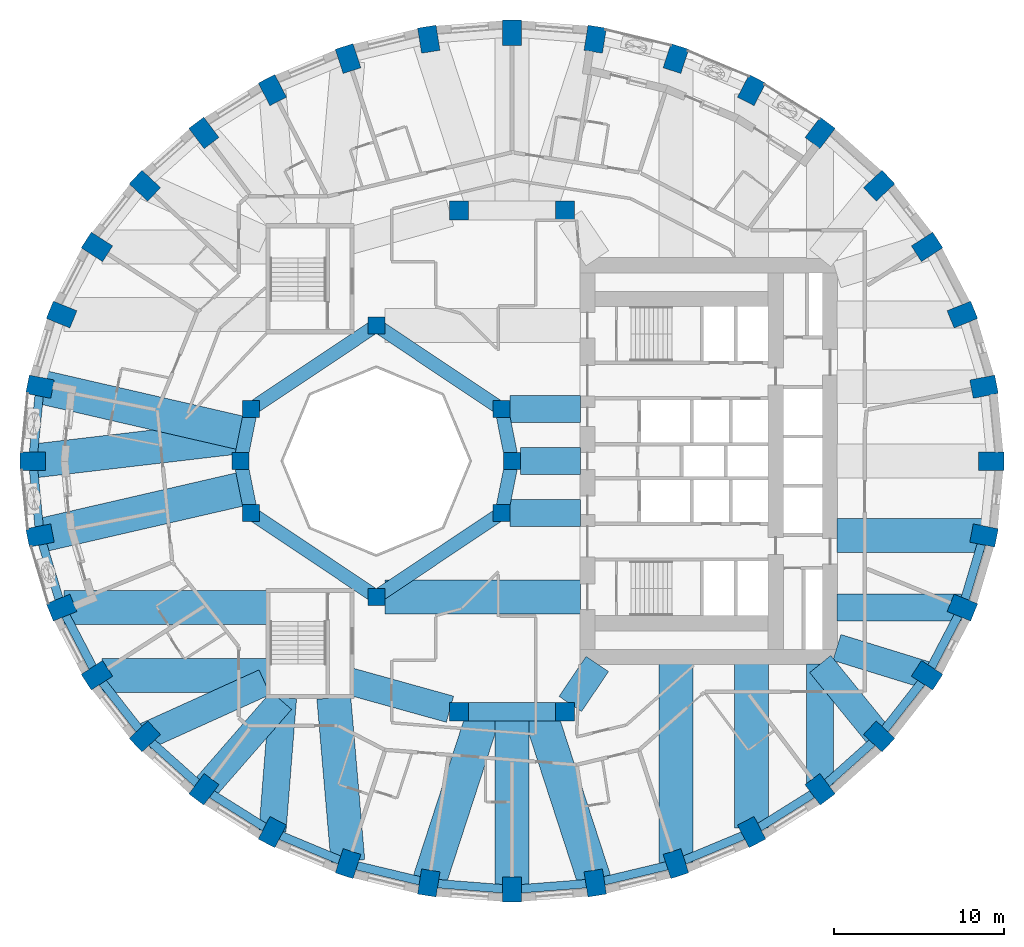
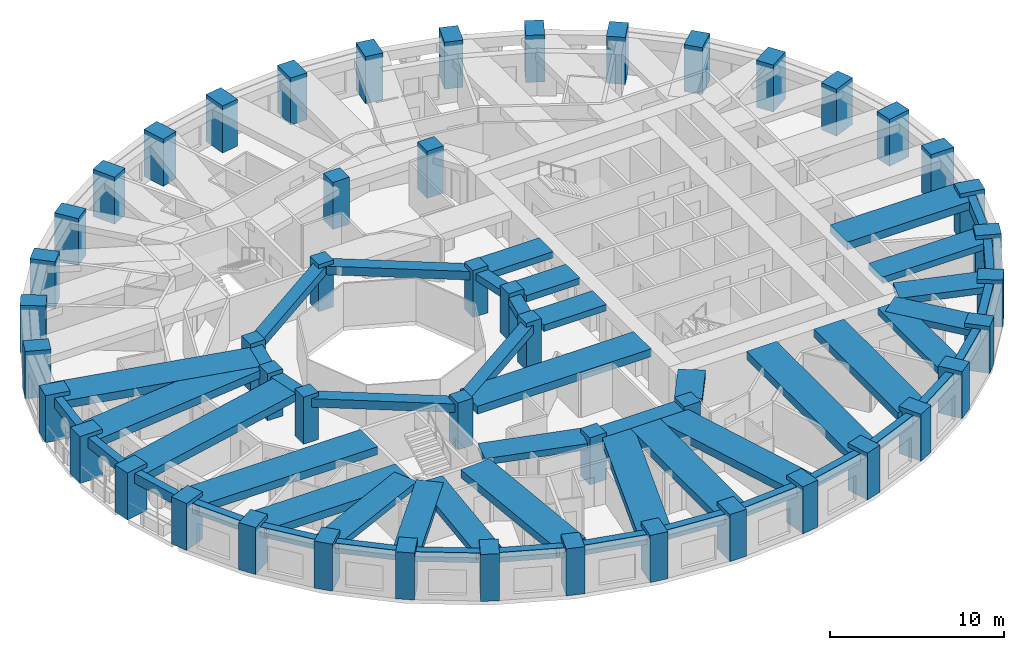
# One storey, part 1 of 13: 52 beams, 48 columns.
"""IFC4 building model written with IfcOpenShell, lengths in metres."""

from ifc_helpers import new_model, si_unit, direction, frame, origin, origin_2d, place, context, subcontext, project, spatial, rectangle, extrude, material, material_profile, profile_set, type_object, element, save


model = new_model("IFC4")

# Units and contexts
model_context = context("Model", 3, precision=1e-05, world=origin(), true_north=direction((0.0, 1.0)))
body_context = subcontext(model_context, "Body", "Model", "MODEL_VIEW")
ifc_project = project(units=[si_unit("LENGTHUNIT", "METRE"), si_unit("AREAUNIT", "SQUARE_METRE"), si_unit("VOLUMEUNIT", "CUBIC_METRE"), si_unit("PLANEANGLEUNIT", "RADIAN"), si_unit("MASSUNIT", "GRAM", prefix="KILO")], contexts=[model_context])

# Site, building, storey
site_placement = place(None, origin())
site = spatial("IfcSite", under=ifc_project, at=site_placement, CompositionType="ELEMENT")
building_placement = place(site_placement, origin())
building = spatial("IfcBuilding", under=site, at=building_placement, Name="Taillehof Tower", CompositionType="ELEMENT")
storey_placement = place(building_placement, frame((0.0, 0.0, 61.300048828125)))
storey = spatial("IfcBuildingStorey", under=building, at=storey_placement, Name="L16", CompositionType="ELEMENT", Elevation=61.300048828125)

# Columns
ifc_material_1 = material(Name="Concrete C50/60", Category="concrete")
ifc_material_profile_1 = material_profile(ifc_material_1, rectangle(XDim=1.0, YDim=1.0, at=origin_2d()), Name="RC 1000x1000")
ifc_profile_set_1 = profile_set([ifc_material_profile_1], Name="Concrete C50/60")
column_type_1 = type_object("IfcColumnType", Name="Atrium ring column C50/60 1000x1000", PredefinedType="COLUMN", material=ifc_profile_set_1)
for number, where, z_axis, x_axis, name in (
    (1, (0.0, 0.0, 0.0), (0.0, 0.0, 1.0), (1.0, 0.0, 0.0), "Column AC01"),
    (2, (-0.60888671875, 3.0615234375, 0.0), (0.0, 0.0, 1.0), (1.0, 0.0, 0.0), "Column AC02"),
    (3, (-8.0, 8.0, 0.0), (0.0, 0.0, 1.0), (1.0, 0.0, 0.0), "Column AC05"),
    (4, (-15.39111328125, 3.0615234375, 0.0), (0.0, 0.0, 1.0), (1.0, 0.0, 0.0), "Column AC08"),
    (5, (-16.0, 0.0, 0.0), (0.0, 0.0, 1.0), (1.0, 0.0, 0.0), "Column AC09"),
    (6, (-15.39111328125, -3.0615234375, 0.0), (0.0, 0.0, 1.0), (1.0, 0.0, 0.0), "Column AC10"),
    (7, (-8.0, -8.0, 0.0), (0.0, 0.0, 1.0), (1.0, 0.0, 0.0), "Column AC13"),
    (8, (-0.60888671875, -3.0615234375, 0.0), (0.0, 0.0, 1.0), (1.0, 0.0, 0.0), "Column AC16"),
):
    element("IfcColumn", number, at=place(storey_placement, frame(where, z_axis=z_axis, x_axis=x_axis)), inside=storey, type_object=column_type_1, Name=name, PredefinedType="COLUMN", context=body_context, shape_type="SweptSolid", body=[
        extrude(rectangle(XDim=1.0, YDim=1.0, at=origin_2d()), origin(), (0.0, 0.0, 1.0), 3.300048828125),
    ])
ifc_material_2 = material(Name="Concrete C50/60", Category="concrete")
ifc_material_profile_2 = material_profile(ifc_material_2, rectangle(XDim=1.10009765625, YDim=1.10009765625, at=origin_2d()), Name="RC 1100x1100")
ifc_profile_set_2 = profile_set([ifc_material_profile_2], Name="Concrete C50/60")
column_type_2 = type_object("IfcColumnType", Name="Mid-ring column C50/60 1100x1100", PredefinedType="COLUMN", material=ifc_profile_set_2)
column_1_placement = place(storey_placement, frame((3.125732421875, -14.772216796875, 0.0), z_axis=(0.0, 0.0, 1.0), x_axis=(1.0, 0.0, 0.0)))
element("IfcColumn", 9, at=column_1_placement, inside=storey, type_object=column_type_2, Name="Column MC15", PredefinedType="COLUMN", context=body_context, shape_type="SweptSolid", body=[
    extrude(rectangle(XDim=1.10009765625, YDim=1.10009765625, at=origin_2d()), origin(), (0.0, 0.0, 1.0), 3.300048828125),
])
ifc_material_3 = material(Name="Concrete C60/75", Category="concrete")
ifc_material_profile_3 = material_profile(ifc_material_3, rectangle(XDim=1.10009765625, YDim=1.10009765625, at=origin_2d()), Name="RC 1100x1100")
ifc_profile_set_3 = profile_set([ifc_material_profile_3], Name="Concrete C60/75")
column_type_3 = type_object("IfcColumnType", Name="Mid-ring column C60/75 1100x1100", PredefinedType="COLUMN", material=ifc_profile_set_3)
column_2_placement = place(storey_placement, frame((3.125732421875, 14.772216796875, 0.0), z_axis=(0.0, 0.0, 1.0), x_axis=(1.0, 0.0, 0.0)))
element("IfcColumn", 10, at=column_2_placement, inside=storey, type_object=column_type_3, Name="Column MC05", PredefinedType="COLUMN", context=body_context, shape_type="SweptSolid", body=[
    extrude(rectangle(XDim=1.10009765625, YDim=1.10009765625, at=origin_2d()), origin(), (0.0, 0.0, 1.0), 3.300048828125),
])
ifc_material_4 = material(Name="Concrete C70/85", Category="concrete")
ifc_material_profile_4 = material_profile(ifc_material_4, rectangle(XDim=1.10009765625, YDim=1.10009765625, at=origin_2d()), Name="RC 1100x1100")
ifc_profile_set_4 = profile_set([ifc_material_profile_4], Name="Concrete C70/85")
column_type_4 = type_object("IfcColumnType", Name="Mid-ring column C70/85 1100x1100", PredefinedType="COLUMN", material=ifc_profile_set_4)
for number, where, z_axis, x_axis, name in (
    (11, (-3.125732421875, 14.772216796875, 0.0), (0.0, 0.0, 1.0), (1.0, 0.0, 0.0), "Column MC06"),
    (12, (-3.125732421875, -14.772216796875, 0.0), (0.0, 0.0, 1.0), (1.0, 0.0, 0.0), "Column MC14"),
):
    element("IfcColumn", number, at=place(storey_placement, frame(where, z_axis=z_axis, x_axis=x_axis)), inside=storey, type_object=column_type_4, Name=name, PredefinedType="COLUMN", context=body_context, shape_type="SweptSolid", body=[
        extrude(rectangle(XDim=1.10009765625, YDim=1.10009765625, at=origin_2d()), origin(), (0.0, 0.0, 1.0), 3.300048828125),
    ])
ifc_material_5 = material(Name="Concrete C70/85", Category="concrete")
ifc_material_profile_5 = material_profile(ifc_material_5, rectangle(XDim=1.5, YDim=1.10009765625, at=origin_2d()), Name="RC 1500x1100")
ifc_profile_set_5 = profile_set([ifc_material_profile_5], Name="Concrete C70/85")
column_type_5 = type_object("IfcColumnType", Name="Ring column C70/85 1500x1100", PredefinedType="COLUMN", material=ifc_profile_set_5)
for number, where, z_axis, x_axis, name in (
    (13, (28.25, 0.0, 0.0), (0.0, 0.0, 1.0), (1.0, 0.0, 0.0), "Ring column RC01"),
    (14, (27.82080078125, 4.384521484375, 0.0), (0.0, 0.0, 1.0), (0.98120354895, 0.192975634545, 0.0), "Ring column RC02"),
    (15, (26.54638671875, 8.635986328125, 0.0), (0.0, 0.0, 1.0), (0.926558045297, 0.37615181602, 0.0), "Ring column RC03"),
    (16, (24.46533203125, 12.625, 0.0), (0.0, 0.0, 1.0), (0.840753565229, 0.541417992456, 0.0), "Ring column RC04"),
    (17, (21.640869140625, 16.23046875, 0.0), (0.0, 0.0, 1.0), (0.730113022917, 0.683326403535, 0.0), "Ring column RC05"),
    (18, (18.15869140625, 19.342529296875, 0.0), (0.0, 0.0, 1.0), (0.601173783055, 0.79911831575, 0.0), "Ring column RC06"),
    (19, (14.125, 21.8671875, 0.0), (0.0, 0.0, 1.0), (0.459691308511, 0.888078769524, 0.0), "Ring column RC07"),
    (20, (9.662109375, 23.727294921875, 0.0), (0.0, 0.0, 1.0), (0.310219183529, 0.950665060981, 0.0), "Ring column RC08"),
    (21, (4.905517578125, 24.866455078125, 0.0), (0.0, 0.0, 1.0), (0.15614709407, 0.987733812833, 0.0), "Ring column RC09"),
    (22, (0.0, 25.25, 0.0), (0.0, 0.0, 1.0), (0.0, 1.0, 0.0), "Ring column RC10"),
    (23, (-4.905517578125, 24.866455078125, 0.0), (0.0, 0.0, 1.0), (-0.15614709407, 0.987733812833, 0.0), "Ring column RC11"),
    (24, (-9.662109375, 23.727294921875, 0.0), (0.0, 0.0, 1.0), (-0.310219183529, 0.950665060981, 0.0), "Ring column RC12"),
    (25, (-14.125, 21.8671875, 0.0), (0.0, 0.0, 1.0), (-0.459691308511, 0.888078769524, 0.0), "Ring column RC13"),
    (26, (-18.15869140625, 19.342529296875, 0.0), (0.0, 0.0, 1.0), (-0.601173783055, 0.79911831575, 0.0), "Ring column RC14"),
    (27, (-21.640869140625, 16.23046875, 0.0), (0.0, 0.0, 1.0), (-0.730113022917, 0.683326403535, 0.0), "Ring column RC15"),
    (28, (-24.46533203125, 12.625, 0.0), (0.0, 0.0, 1.0), (-0.840753565229, 0.541417992456, 0.0), "Ring column RC16"),
    (29, (-26.54638671875, 8.635986328125, 0.0), (0.0, 0.0, 1.0), (-0.926558045297, 0.37615181602, 0.0), "Ring column RC17"),
    (30, (-27.82080078125, 4.384521484375, 0.0), (0.0, 0.0, 1.0), (-0.98120354895, 0.192975634545, 0.0), "Ring column RC18"),
    (31, (-28.25, 0.0, 0.0), (0.0, 0.0, 1.0), (-1.0, 0.0, 0.0), "Ring column RC19"),
    (32, (-27.82080078125, -4.384521484375, 0.0), (0.0, 0.0, 1.0), (-0.98120354895, -0.192975634545, 0.0), "Ring column RC20"),
    (33, (-26.54638671875, -8.635986328125, 0.0), (0.0, 0.0, 1.0), (-0.926558045297, -0.37615181602, 0.0), "Ring column RC21"),
    (34, (-24.46533203125, -12.625, 0.0), (0.0, 0.0, 1.0), (-0.840753565229, -0.541417992456, 0.0), "Ring column RC22"),
    (35, (-21.640869140625, -16.23046875, 0.0), (0.0, 0.0, 1.0), (-0.730113022917, -0.683326403535, 0.0), "Ring column RC23"),
    (36, (-18.15869140625, -19.342529296875, 0.0), (0.0, 0.0, 1.0), (-0.601173783055, -0.79911831575, 0.0), "Ring column RC24"),
    (37, (-14.125, -21.8671875, 0.0), (0.0, 0.0, 1.0), (-0.459691308511, -0.888078769524, 0.0), "Ring column RC25"),
    (38, (-9.662109375, -23.727294921875, 0.0), (0.0, 0.0, 1.0), (-0.310219183529, -0.950665060981, 0.0), "Ring column RC26"),
    (39, (-4.905517578125, -24.866455078125, 0.0), (0.0, 0.0, 1.0), (-0.15614709407, -0.987733812833, 0.0), "Ring column RC27"),
    (40, (0.0, -25.25, 0.0), (0.0, 0.0, 1.0), (0.0, -1.0, 0.0), "Ring column RC28"),
    (41, (4.905517578125, -24.866455078125, 0.0), (0.0, 0.0, 1.0), (0.15614709407, -0.987733812833, 0.0), "Ring column RC29"),
    (42, (9.662109375, -23.727294921875, 0.0), (0.0, 0.0, 1.0), (0.310219183529, -0.950665060981, 0.0), "Ring column RC30"),
    (43, (14.125, -21.8671875, 0.0), (0.0, 0.0, 1.0), (0.459691308511, -0.888078769524, 0.0), "Ring column RC31"),
    (44, (18.15869140625, -19.342529296875, 0.0), (0.0, 0.0, 1.0), (0.601173783055, -0.79911831575, 0.0), "Ring column RC32"),
    (45, (21.640869140625, -16.23046875, 0.0), (0.0, 0.0, 1.0), (0.730113022917, -0.683326403535, 0.0), "Ring column RC33"),
    (46, (24.46533203125, -12.625, 0.0), (0.0, 0.0, 1.0), (0.840753565229, -0.541417992456, 0.0), "Ring column RC34"),
    (47, (26.54638671875, -8.635986328125, 0.0), (0.0, 0.0, 1.0), (0.926558045297, -0.37615181602, 0.0), "Ring column RC35"),
    (48, (27.82080078125, -4.384521484375, 0.0), (0.0, 0.0, 1.0), (0.98120354895, -0.192975634545, 0.0), "Ring column RC36"),
):
    element("IfcColumn", number, at=place(storey_placement, frame(where, z_axis=z_axis, x_axis=x_axis)), inside=storey, type_object=column_type_5, Name=name, PredefinedType="COLUMN", context=body_context, shape_type="SweptSolid", body=[
        extrude(rectangle(XDim=1.5, YDim=1.10009765625, at=origin_2d()), origin(), (0.0, 0.0, 1.0), 3.300048828125),
    ])

# Beams
ifc_material_6 = material(Name="Concrete C50/60", Category="concrete")
ifc_material_profile_6 = material_profile(ifc_material_6, rectangle(XDim=0.800048828125, YDim=0.5, at=origin_2d()), Name="RC 800x500")
ifc_profile_set_6 = profile_set([ifc_material_profile_6], Name="Concrete C50/60")
beam_type_1 = type_object("IfcBeamType", Name="Atrium ring beam C50/60 800x500", PredefinedType="BEAM", material=ifc_profile_set_6)
for number, where, z_axis, x_axis, name in (
    (49, (0.0, 0.0, 2.77001953125), (-0.195063155143, 0.980790683839, 0.0), (-0.980790683839, -0.195063155143, 0.0), "Atrium ring beam AB01"),
    (50, (-15.39111328125, 3.0615234375, 2.77001953125), (-0.195063155143, -0.980790683839, 0.0), (0.980790683839, -0.195063155143, 0.0), "Atrium ring beam AB04"),
    (51, (-16.0, 0.0, 2.77001953125), (0.195063155143, -0.980790683839, 0.0), (0.980790683839, 0.195063155143, 0.0), "Atrium ring beam AB05"),
    (52, (-0.60888671875, -3.0615234375, 2.77001953125), (0.195063155143, 0.980790683839, 0.0), (-0.980790683839, 0.195063155143, 0.0), "Atrium ring beam AB08"),
):
    element("IfcBeam", number, at=place(storey_placement, frame(where, z_axis=z_axis, x_axis=x_axis)), inside=storey, type_object=beam_type_1, Name=name, PredefinedType="BEAM", context=body_context, shape_type="SweptSolid", body=[
        extrude(rectangle(XDim=0.800048828125, YDim=0.5, at=origin_2d()), origin(), (0.0, 0.0, 1.0), 3.12158203125),
    ])
ifc_material_7 = material(Name="Concrete C50/60", Category="concrete")
ifc_material_profile_7 = material_profile(ifc_material_7, rectangle(XDim=0.800048828125, YDim=0.60009765625, at=origin_2d()), Name="RC 800x600")
ifc_profile_set_7 = profile_set([ifc_material_profile_7], Name="Concrete C50/60")
beam_type_2 = type_object("IfcBeamType", Name="Atrium ring beam C50/60 800x600", PredefinedType="BEAM", material=ifc_profile_set_7)
for number, where, z_axis, x_axis, name in (
    (53, (-0.60888671875, 3.0615234375, 2.719970703125), (-0.831475195687, 0.555561876804, 0.0), (-0.555561876804, -0.831475195687, 0.0), "Atrium ring beam AB02"),
    (54, (-8.0, 8.0, 2.719970703125), (-0.831475195687, -0.555561876804, 0.0), (0.555561876804, -0.831475195687, 0.0), "Atrium ring beam AB03"),
    (55, (-15.39111328125, -3.0615234375, 2.719970703125), (0.831475195687, -0.555561876804, 0.0), (0.555561876804, 0.831475195687, 0.0), "Atrium ring beam AB06"),
    (56, (-8.0, -8.0, 2.719970703125), (0.831475195687, 0.555561876804, 0.0), (-0.555561876804, 0.831475195687, 0.0), "Atrium ring beam AB07"),
):
    element("IfcBeam", number, at=place(storey_placement, frame(where, z_axis=z_axis, x_axis=x_axis)), inside=storey, type_object=beam_type_2, Name=name, PredefinedType="BEAM", context=body_context, shape_type="SweptSolid", body=[
        extrude(rectangle(XDim=0.800048828125, YDim=0.60009765625, at=origin_2d()), origin(), (0.0, 0.0, 1.0), 8.88916015625),
    ])
ifc_material_8 = material(Name="Concrete C50/60", Category="concrete")
ifc_material_profile_8 = material_profile(ifc_material_8, rectangle(XDim=1.10009765625, YDim=0.60009765625, at=origin_2d()), Name="RC 1100x600")
ifc_profile_set_8 = profile_set([ifc_material_profile_8], Name="Concrete C50/60")
beam_type_3 = type_object("IfcBeamType", Name="Mid-ring beam C50/60 1100x600", PredefinedType="BEAM", material=ifc_profile_set_8)
beam_1_placement = place(storey_placement, frame((-3.125732421875, -14.772216796875, 2.719970703125), z_axis=(1.0, 0.0, 0.0), x_axis=(0.0, 1.0, 0.0)))
element("IfcBeam", 57, at=beam_1_placement, inside=storey, type_object=beam_type_3, Name="Mid-ring beam MB02", PredefinedType="BEAM", context=body_context, shape_type="SweptSolid", body=[
    extrude(rectangle(XDim=1.10009765625, YDim=0.60009765625, at=origin_2d()), origin(), (0.0, 0.0, 1.0), 6.25146484375),
])
ifc_material_9 = material(Name="Concrete C50/60", Category="concrete")
ifc_material_profile_9 = material_profile(ifc_material_9, rectangle(XDim=1.60009765625, YDim=0.449951171875, at=origin_2d()), Name="RC 1600x450")
ifc_profile_set_9 = profile_set([ifc_material_profile_9], Name="Concrete C50/60")
beam_type_4 = type_object("IfcBeamType", Name="Radial band beam C50/60 1600x450", PredefinedType="BEAM", material=ifc_profile_set_9)
beam_2_placement = place(storey_placement, frame((-21.632568359375, -16.226806640625, 2.794921875), z_axis=(0.911100590789, 0.412184077161, 0.0), x_axis=(-0.412184077161, 0.911100590789, 0.0)))
element("IfcBeam", 58, at=beam_2_placement, inside=storey, type_object=beam_type_4, Name="Radial band beam RB23", PredefinedType="BEAM", context=body_context, shape_type="SweptSolid", body=[
    extrude(rectangle(XDim=1.60009765625, YDim=0.449951171875, at=origin_2d()), origin(), (0.0, 0.0, 1.0), 7.740966796875),
])
beam_3_placement = place(storey_placement, frame((-18.15869140625, -19.342529296875, 2.794921875), z_axis=(0.65721824087, 0.753700327628, 0.0), x_axis=(-0.753700327628, 0.65721824087, 0.0)))
element("IfcBeam", 59, at=beam_3_placement, inside=storey, type_object=beam_type_4, Name="Radial band beam RB24", PredefinedType="BEAM", context=body_context, shape_type="SweptSolid", body=[
    extrude(rectangle(XDim=1.60009765625, YDim=0.449951171875, at=origin_2d()), origin(), (0.0, 0.0, 1.0), 6.9384765625),
])
beam_4_placement = place(storey_placement, frame((-14.119873046875, -21.802978515625, 2.794921875), z_axis=(0.079184740988, 0.996859958467, 0.0), x_axis=(-0.996859958467, 0.079184740988, 0.0)))
element("IfcBeam", 60, at=beam_4_placement, inside=storey, type_object=beam_type_4, Name="Radial band beam RB25", PredefinedType="BEAM", context=body_context, shape_type="SweptSolid", body=[
    extrude(rectangle(XDim=1.60009765625, YDim=0.449951171875, at=origin_2d()), origin(), (0.0, 0.0, 1.0), 7.87744140625),
])
beam_5_placement = place(storey_placement, frame((18.15869140625, -19.05517578125, 2.794921875), z_axis=(0.0, 1.0, 0.0), x_axis=(-1.0, 0.0, 0.0)))
element("IfcBeam", 61, at=beam_5_placement, inside=storey, type_object=beam_type_4, Name="Radial band beam RB32", PredefinedType="BEAM", context=body_context, shape_type="SweptSolid", body=[
    extrude(rectangle(XDim=1.60009765625, YDim=0.449951171875, at=origin_2d()), origin(), (0.0, 0.0, 1.0), 7.105224609375),
])
beam_6_placement = place(storey_placement, frame((21.640869140625, -16.23046875, 2.794921875), z_axis=(-0.630988373846, 0.775792286679, 0.0), x_axis=(-0.775792286679, -0.630988373846, 0.0)))
element("IfcBeam", 62, at=beam_6_placement, inside=storey, type_object=beam_type_4, Name="Radial band beam RB33", PredefinedType="BEAM", context=body_context, shape_type="SweptSolid", body=[
    extrude(rectangle(XDim=1.60009765625, YDim=0.449951171875, at=origin_2d()), origin(), (0.0, 0.0, 1.0), 5.503173828125),
])
beam_7_placement = place(storey_placement, frame((24.46533203125, -12.625, 2.794921875), z_axis=(-0.955535654338, 0.294875589511, 0.0), x_axis=(-0.294875589511, -0.955535654338, 0.0)))
element("IfcBeam", 63, at=beam_7_placement, inside=storey, type_object=beam_type_4, Name="Radial band beam RB34", PredefinedType="BEAM", context=body_context, shape_type="SweptSolid", body=[
    extrude(rectangle(XDim=1.60009765625, YDim=0.449951171875, at=origin_2d()), origin(), (0.0, 0.0, 1.0), 5.560546875),
])
beam_8_placement = place(storey_placement, frame((26.490478515625, -8.635986328125, 2.794921875), z_axis=(-1.0, 0.0, 0.0), x_axis=(0.0, -1.0, 0.0)))
element("IfcBeam", 64, at=beam_8_placement, inside=storey, type_object=beam_type_4, Name="Radial band beam RB35", PredefinedType="BEAM", context=body_context, shape_type="SweptSolid", body=[
    extrude(rectangle(XDim=1.60009765625, YDim=0.449951171875, at=origin_2d()), origin(), (0.0, 0.0, 1.0), 7.340576171875),
])
beam_9_placement = place(storey_placement, frame((0.5, 0.0, 2.794921875), z_axis=(1.0, 0.0, 0.0), x_axis=(0.0, 1.0, 0.0)))
element("IfcBeam", 65, at=beam_9_placement, inside=storey, type_object=beam_type_4, Name="Inner band beam IB101", PredefinedType="BEAM", context=body_context, shape_type="SweptSolid", body=[
    extrude(rectangle(XDim=1.60009765625, YDim=0.449951171875, at=origin_2d()), origin(), (0.0, 0.0, 1.0), 3.550048828125),
])
for number, where, z_axis, x_axis, name in (
    (66, (-0.10888671875, 3.0615234375, 2.794921875), (1.0, 0.0, 0.0), (0.0, 1.0, 0.0), "Inner band beam IB102"),
    (67, (-0.10888671875, -3.0615234375, 2.794921875), (1.0, 0.0, 0.0), (0.0, 1.0, 0.0), "Inner band beam IB116"),
):
    element("IfcBeam", number, at=place(storey_placement, frame(where, z_axis=z_axis, x_axis=x_axis)), inside=storey, type_object=beam_type_4, Name=name, PredefinedType="BEAM", context=body_context, shape_type="SweptSolid", body=[
        extrude(rectangle(XDim=1.60009765625, YDim=0.449951171875, at=origin_2d()), origin(), (0.0, 0.0, 1.0), 4.158935546875),
    ])
beam_10_placement = place(storey_placement, frame((-3.655517578125, -14.624755859375, 2.794921875), z_axis=(-0.963459369536, 0.267854518821, 0.0), x_axis=(-0.267854518821, -0.963459369536, 0.0)))
element("IfcBeam", 68, at=beam_10_placement, inside=storey, type_object=beam_type_4, Name="Inner band beam IB214", PredefinedType="BEAM", context=body_context, shape_type="SweptSolid", body=[
    extrude(rectangle(XDim=1.60009765625, YDim=0.449951171875, at=origin_2d()), origin(), (0.0, 0.0, 1.0), 6.096923828125),
])
beam_11_placement = place(storey_placement, frame((3.433837890625, -14.31640625, 2.794921875), z_axis=(0.560112043398, 0.828416862962, 0.0), x_axis=(-0.828416862962, 0.560112043398, 0.0)))
element("IfcBeam", 69, at=beam_11_placement, inside=storey, type_object=beam_type_4, Name="Inner band beam IB215", PredefinedType="BEAM", context=body_context, shape_type="SweptSolid", body=[
    extrude(rectangle(XDim=1.60009765625, YDim=0.449951171875, at=origin_2d()), origin(), (0.0, 0.0, 1.0), 2.84619140625),
])
ifc_material_10 = material(Name="Concrete C50/60", Category="concrete")
ifc_material_profile_10 = material_profile(ifc_material_10, rectangle(XDim=2.0, YDim=0.550048828125, at=origin_2d()), Name="RC 2000x550")
ifc_profile_set_10 = profile_set([ifc_material_profile_10], Name="Concrete C50/60")
beam_type_5 = type_object("IfcBeamType", Name="Radial band beam C50/60 2000x550", PredefinedType="BEAM", material=ifc_profile_set_10)
beam_12_placement = place(storey_placement, frame((-27.82080078125, 4.384521484375, 2.744873046875), z_axis=(0.974509005862, -0.2243483842, 0.0), x_axis=(0.2243483842, 0.974509005862, 0.0)))
element("IfcBeam", 70, at=beam_12_placement, inside=storey, type_object=beam_type_5, Name="Radial band beam RB18", PredefinedType="BEAM", context=body_context, shape_type="SweptSolid", body=[
    extrude(rectangle(XDim=2.0, YDim=0.550048828125, at=origin_2d()), origin(), (0.0, 0.0, 1.0), 12.45458984375),
])
beam_13_placement = place(storey_placement, frame((-28.25, 0.0, 2.744873046875), z_axis=(0.993191188018, 0.11649576835, 0.0), x_axis=(-0.11649576835, 0.993191188018, 0.0)))
element("IfcBeam", 71, at=beam_13_placement, inside=storey, type_object=beam_type_5, Name="Radial band beam RB19", PredefinedType="BEAM", context=body_context, shape_type="SweptSolid", body=[
    extrude(rectangle(XDim=2.0, YDim=0.550048828125, at=origin_2d()), origin(), (0.0, 0.0, 1.0), 12.628662109375),
])
beam_14_placement = place(storey_placement, frame((-27.82080078125, -4.384521484375, 2.744873046875), z_axis=(0.974509005862, 0.2243483842, 0.0), x_axis=(-0.2243483842, 0.974509005862, 0.0)))
element("IfcBeam", 72, at=beam_14_placement, inside=storey, type_object=beam_type_5, Name="Radial band beam RB20", PredefinedType="BEAM", context=body_context, shape_type="SweptSolid", body=[
    extrude(rectangle(XDim=2.0, YDim=0.550048828125, at=origin_2d()), origin(), (0.0, 0.0, 1.0), 12.45458984375),
])
beam_15_placement = place(storey_placement, frame((-26.408935546875, -8.635986328125, 2.744873046875), z_axis=(1.0, 0.0, 0.0), x_axis=(0.0, 1.0, 0.0)))
element("IfcBeam", 73, at=beam_15_placement, inside=storey, type_object=beam_type_5, Name="Radial band beam RB21", PredefinedType="BEAM", context=body_context, shape_type="SweptSolid", body=[
    extrude(rectangle(XDim=2.0, YDim=0.550048828125, at=origin_2d()), origin(), (0.0, 0.0, 1.0), 11.958984375),
])
beam_16_placement = place(storey_placement, frame((-24.172607421875, -12.625, 2.744873046875), z_axis=(1.0, 0.0, 0.0), x_axis=(0.0, 1.0, 0.0)))
element("IfcBeam", 74, at=beam_16_placement, inside=storey, type_object=beam_type_5, Name="Radial band beam RB22", PredefinedType="BEAM", context=body_context, shape_type="SweptSolid", body=[
    extrude(rectangle(XDim=2.0, YDim=0.550048828125, at=origin_2d()), origin(), (0.0, 0.0, 1.0), 9.72265625),
])
beam_17_placement = place(storey_placement, frame((-9.675048828125, -23.575927734375, 2.744873046875), z_axis=(-0.085841202752, 0.996308831593, 0.0), x_axis=(-0.996308831593, -0.085841202752, 0.0)))
element("IfcBeam", 75, at=beam_17_placement, inside=storey, type_object=beam_type_5, Name="Radial band beam RB26", PredefinedType="BEAM", context=body_context, shape_type="SweptSolid", body=[
    extrude(rectangle(XDim=2.0, YDim=0.550048828125, at=origin_2d()), origin(), (0.0, 0.0, 1.0), 9.661376953125),
])
beam_18_placement = place(storey_placement, frame((-4.905517578125, -24.866455078125, 2.744873046875), z_axis=(0.309014294595, 0.951057393503, 0.0), x_axis=(-0.951057393503, 0.309014294595, 0.0)))
element("IfcBeam", 76, at=beam_18_placement, inside=storey, type_object=beam_type_5, Name="Radial band beam RB27", PredefinedType="BEAM", context=body_context, shape_type="SweptSolid", body=[
    extrude(rectangle(XDim=2.0, YDim=0.550048828125, at=origin_2d()), origin(), (0.0, 0.0, 1.0), 10.61376953125),
])
beam_19_placement = place(storey_placement, frame((0.0, -25.25, 2.744873046875), z_axis=(0.0, 1.0, 0.0), x_axis=(-1.0, 0.0, 0.0)))
element("IfcBeam", 77, at=beam_19_placement, inside=storey, type_object=beam_type_5, Name="Radial band beam RB28", PredefinedType="BEAM", context=body_context, shape_type="SweptSolid", body=[
    extrude(rectangle(XDim=2.0, YDim=0.550048828125, at=origin_2d()), origin(), (0.0, 0.0, 1.0), 10.477783203125),
])
beam_20_placement = place(storey_placement, frame((4.905517578125, -24.866455078125, 2.744873046875), z_axis=(-0.309014294595, 0.951057393503, 0.0), x_axis=(-0.951057393503, -0.309014294595, 0.0)))
element("IfcBeam", 78, at=beam_20_placement, inside=storey, type_object=beam_type_5, Name="Radial band beam RB29", PredefinedType="BEAM", context=body_context, shape_type="SweptSolid", body=[
    extrude(rectangle(XDim=2.0, YDim=0.550048828125, at=origin_2d()), origin(), (0.0, 0.0, 1.0), 10.61376953125),
])
beam_21_placement = place(storey_placement, frame((9.662109375, -23.664794921875, 2.744873046875), z_axis=(0.0, 1.0, 0.0), x_axis=(-1.0, 0.0, 0.0)))
element("IfcBeam", 79, at=beam_21_placement, inside=storey, type_object=beam_type_5, Name="Radial band beam RB30", PredefinedType="BEAM", context=body_context, shape_type="SweptSolid", body=[
    extrude(rectangle(XDim=2.0, YDim=0.550048828125, at=origin_2d()), origin(), (0.0, 0.0, 1.0), 11.71484375),
])
beam_22_placement = place(storey_placement, frame((14.125, -21.63232421875, 2.744873046875), z_axis=(0.0, 1.0, 0.0), x_axis=(-1.0, 0.0, 0.0)))
element("IfcBeam", 80, at=beam_22_placement, inside=storey, type_object=beam_type_5, Name="Radial band beam RB31", PredefinedType="BEAM", context=body_context, shape_type="SweptSolid", body=[
    extrude(rectangle(XDim=2.0, YDim=0.550048828125, at=origin_2d()), origin(), (0.0, 0.0, 1.0), 9.682373046875),
])
beam_23_placement = place(storey_placement, frame((27.82080078125, -4.384521484375, 2.744873046875), z_axis=(-1.0, 0.0, 0.0), x_axis=(0.0, -1.0, 0.0)))
element("IfcBeam", 81, at=beam_23_placement, inside=storey, type_object=beam_type_5, Name="Radial band beam RB36", PredefinedType="BEAM", context=body_context, shape_type="SweptSolid", body=[
    extrude(rectangle(XDim=2.0, YDim=0.550048828125, at=origin_2d()), origin(), (0.0, 0.0, 1.0), 8.6708984375),
])
beam_24_placement = place(storey_placement, frame((-7.5, -8.0, 2.744873046875), z_axis=(1.0, 0.0, 0.0), x_axis=(0.0, 1.0, 0.0)))
element("IfcBeam", 82, at=beam_24_placement, inside=storey, type_object=beam_type_5, Name="Inner band beam IB113", PredefinedType="BEAM", context=body_context, shape_type="SweptSolid", body=[
    extrude(rectangle(XDim=2.0, YDim=0.550048828125, at=origin_2d()), origin(), (0.0, 0.0, 1.0), 11.550048828125),
])
ifc_material_11 = material(Name="Concrete C50/60", Category="concrete")
ifc_material_profile_11 = material_profile(ifc_material_11, rectangle(XDim=0.5, YDim=0.699951171875, at=origin_2d()), Name="RC 500x700")
ifc_profile_set_11 = profile_set([ifc_material_profile_11], Name="Concrete C50/60")
beam_type_6 = type_object("IfcBeamType", Name="Spandrel beam C50/60 500x700", PredefinedType="SPANDREL", material=ifc_profile_set_11)
for number, where, z_axis, x_axis, name in (
    (83, (-27.82080078125, 4.384521484375, 2.669921875), (-0.097423973567, -0.99524297002, 0.0), (0.99524297002, -0.097423973567, 0.0), "Spandrel beam SB18"),
    (84, (-28.25, 0.0, 2.669921875), (0.097423973567, -0.99524297002, 0.0), (0.99524297002, 0.097423973567, 0.0), "Spandrel beam SB19"),
):
    element("IfcBeam", number, at=place(storey_placement, frame(where, z_axis=z_axis, x_axis=x_axis)), inside=storey, type_object=beam_type_6, Name=name, PredefinedType="SPANDREL", context=body_context, shape_type="SweptSolid", body=[
        extrude(rectangle(XDim=0.5, YDim=0.699951171875, at=origin_2d()), origin(), (0.0, 0.0, 1.0), 4.405517578125),
    ])
beam_25_placement = place(storey_placement, frame((-27.82080078125, -4.384521484375, 2.669921875), z_axis=(0.287135925407, -0.957889847707, 0.0), x_axis=(0.957889847707, 0.287135925407, 0.0)))
element("IfcBeam", 85, at=beam_25_placement, inside=storey, type_object=beam_type_6, Name="Spandrel beam SB20", PredefinedType="SPANDREL", context=body_context, shape_type="SweptSolid", body=[
    extrude(rectangle(XDim=0.5, YDim=0.699951171875, at=origin_2d()), origin(), (0.0, 0.0, 1.0), 4.4384765625),
])
beam_26_placement = place(storey_placement, frame((-26.54638671875, -8.635986328125, 2.669921875), z_axis=(0.462536335232, -0.886600326297, 0.0), x_axis=(0.886600326297, 0.462536335232, 0.0)))
element("IfcBeam", 86, at=beam_26_placement, inside=storey, type_object=beam_type_6, Name="Spandrel beam SB21", PredefinedType="SPANDREL", context=body_context, shape_type="SweptSolid", body=[
    extrude(rectangle(XDim=0.5, YDim=0.699951171875, at=origin_2d()), origin(), (0.0, 0.0, 1.0), 4.499267578125),
])
beam_27_placement = place(storey_placement, frame((-24.46533203125, -12.625, 2.669921875), z_axis=(0.616686200373, -0.787209076593, 0.0), x_axis=(0.787209076593, 0.616686200373, 0.0)))
element("IfcBeam", 87, at=beam_27_placement, inside=storey, type_object=beam_type_6, Name="Spandrel beam SB22", PredefinedType="SPANDREL", context=body_context, shape_type="SweptSolid", body=[
    extrude(rectangle(XDim=0.5, YDim=0.699951171875, at=origin_2d()), origin(), (0.0, 0.0, 1.0), 4.580078125),
])
beam_28_placement = place(storey_placement, frame((-21.640869140625, -16.23046875, 2.669921875), z_axis=(0.745621283614, -0.666369943366, 0.0), x_axis=(0.666369943366, 0.745621283614, 0.0)))
element("IfcBeam", 88, at=beam_28_placement, inside=storey, type_object=beam_type_6, Name="Spandrel beam SB23", PredefinedType="SPANDREL", context=body_context, shape_type="SweptSolid", body=[
    extrude(rectangle(XDim=0.5, YDim=0.699951171875, at=origin_2d()), origin(), (0.0, 0.0, 1.0), 4.670166015625),
])
beam_29_placement = place(storey_placement, frame((-18.15869140625, -19.342529296875, 2.669921875), z_axis=(0.847658018883, -0.530543007703, 0.0), x_axis=(0.530543007703, 0.847658018883, 0.0)))
element("IfcBeam", 89, at=beam_29_placement, inside=storey, type_object=beam_type_6, Name="Spandrel beam SB24", PredefinedType="SPANDREL", context=body_context, shape_type="SweptSolid", body=[
    extrude(rectangle(XDim=0.5, YDim=0.699951171875, at=origin_2d()), origin(), (0.0, 0.0, 1.0), 4.758544921875),
])
beam_30_placement = place(storey_placement, frame((-14.125, -21.8671875, 2.669921875), z_axis=(0.923035088053, -0.384715773297, 0.0), x_axis=(0.384715773297, 0.923035088053, 0.0)))
element("IfcBeam", 90, at=beam_30_placement, inside=storey, type_object=beam_type_6, Name="Spandrel beam SB25", PredefinedType="SPANDREL", context=body_context, shape_type="SweptSolid", body=[
    extrude(rectangle(XDim=0.5, YDim=0.699951171875, at=origin_2d()), origin(), (0.0, 0.0, 1.0), 4.8349609375),
])
beam_31_placement = place(storey_placement, frame((-9.662109375, -23.727294921875, 2.669921875), z_axis=(0.9724995553, -0.232904733616, 0.0), x_axis=(0.232904733616, 0.9724995553, 0.0)))
element("IfcBeam", 91, at=beam_31_placement, inside=storey, type_object=beam_type_6, Name="Spandrel beam SB26", PredefinedType="SPANDREL", context=body_context, shape_type="SweptSolid", body=[
    extrude(rectangle(XDim=0.5, YDim=0.699951171875, at=origin_2d()), origin(), (0.0, 0.0, 1.0), 4.89111328125),
])
for number, where, z_axis, x_axis, name in (
    (92, (-4.905517578125, -24.866455078125, 2.669921875), (0.996957383661, -0.077948541767, 0.0), (0.077948541767, 0.996957383661, 0.0), "Spandrel beam SB27"),
    (93, (0.0, -25.25, 2.669921875), (0.996957383661, 0.077948541767, 0.0), (-0.077948541767, 0.996957383661, 0.0), "Spandrel beam SB28"),
):
    element("IfcBeam", number, at=place(storey_placement, frame(where, z_axis=z_axis, x_axis=x_axis)), inside=storey, type_object=beam_type_6, Name=name, PredefinedType="SPANDREL", context=body_context, shape_type="SweptSolid", body=[
        extrude(rectangle(XDim=0.5, YDim=0.699951171875, at=origin_2d()), origin(), (0.0, 0.0, 1.0), 4.92041015625),
    ])
beam_32_placement = place(storey_placement, frame((4.905517578125, -24.866455078125, 2.669921875), z_axis=(0.9724995553, 0.232904733616, 0.0), x_axis=(-0.232904733616, 0.9724995553, 0.0)))
element("IfcBeam", 94, at=beam_32_placement, inside=storey, type_object=beam_type_6, Name="Spandrel beam SB29", PredefinedType="SPANDREL", context=body_context, shape_type="SweptSolid", body=[
    extrude(rectangle(XDim=0.5, YDim=0.699951171875, at=origin_2d()), origin(), (0.0, 0.0, 1.0), 4.89111328125),
])
beam_33_placement = place(storey_placement, frame((9.662109375, -23.727294921875, 2.669921875), z_axis=(0.923035088053, 0.384715773297, 0.0), x_axis=(-0.384715773297, 0.923035088053, 0.0)))
element("IfcBeam", 95, at=beam_33_placement, inside=storey, type_object=beam_type_6, Name="Spandrel beam SB30", PredefinedType="SPANDREL", context=body_context, shape_type="SweptSolid", body=[
    extrude(rectangle(XDim=0.5, YDim=0.699951171875, at=origin_2d()), origin(), (0.0, 0.0, 1.0), 4.8349609375),
])
beam_34_placement = place(storey_placement, frame((14.125, -21.8671875, 2.669921875), z_axis=(0.847658018883, 0.530543007703, 0.0), x_axis=(-0.530543007703, 0.847658018883, 0.0)))
element("IfcBeam", 96, at=beam_34_placement, inside=storey, type_object=beam_type_6, Name="Spandrel beam SB31", PredefinedType="SPANDREL", context=body_context, shape_type="SweptSolid", body=[
    extrude(rectangle(XDim=0.5, YDim=0.699951171875, at=origin_2d()), origin(), (0.0, 0.0, 1.0), 4.758544921875),
])
beam_35_placement = place(storey_placement, frame((18.15869140625, -19.342529296875, 2.669921875), z_axis=(0.745621283614, 0.666369943366, 0.0), x_axis=(-0.666369943366, 0.745621283614, 0.0)))
element("IfcBeam", 97, at=beam_35_placement, inside=storey, type_object=beam_type_6, Name="Spandrel beam SB32", PredefinedType="SPANDREL", context=body_context, shape_type="SweptSolid", body=[
    extrude(rectangle(XDim=0.5, YDim=0.699951171875, at=origin_2d()), origin(), (0.0, 0.0, 1.0), 4.670166015625),
])
beam_36_placement = place(storey_placement, frame((21.640869140625, -16.23046875, 2.669921875), z_axis=(0.616686200373, 0.787209076593, 0.0), x_axis=(-0.787209076593, 0.616686200373, 0.0)))
element("IfcBeam", 98, at=beam_36_placement, inside=storey, type_object=beam_type_6, Name="Spandrel beam SB33", PredefinedType="SPANDREL", context=body_context, shape_type="SweptSolid", body=[
    extrude(rectangle(XDim=0.5, YDim=0.699951171875, at=origin_2d()), origin(), (0.0, 0.0, 1.0), 4.580078125),
])
beam_37_placement = place(storey_placement, frame((24.46533203125, -12.625, 2.669921875), z_axis=(0.462536335232, 0.886600326297, 0.0), x_axis=(-0.886600326297, 0.462536335232, 0.0)))
element("IfcBeam", 99, at=beam_37_placement, inside=storey, type_object=beam_type_6, Name="Spandrel beam SB34", PredefinedType="SPANDREL", context=body_context, shape_type="SweptSolid", body=[
    extrude(rectangle(XDim=0.5, YDim=0.699951171875, at=origin_2d()), origin(), (0.0, 0.0, 1.0), 4.499267578125),
])
beam_38_placement = place(storey_placement, frame((26.54638671875, -8.635986328125, 2.669921875), z_axis=(0.287135925407, 0.957889847707, 0.0), x_axis=(-0.957889847707, 0.287135925407, 0.0)))
element("IfcBeam", 100, at=beam_38_placement, inside=storey, type_object=beam_type_6, Name="Spandrel beam SB35", PredefinedType="SPANDREL", context=body_context, shape_type="SweptSolid", body=[
    extrude(rectangle(XDim=0.5, YDim=0.699951171875, at=origin_2d()), origin(), (0.0, 0.0, 1.0), 4.4384765625),
])

save(model, "model.ifc")
